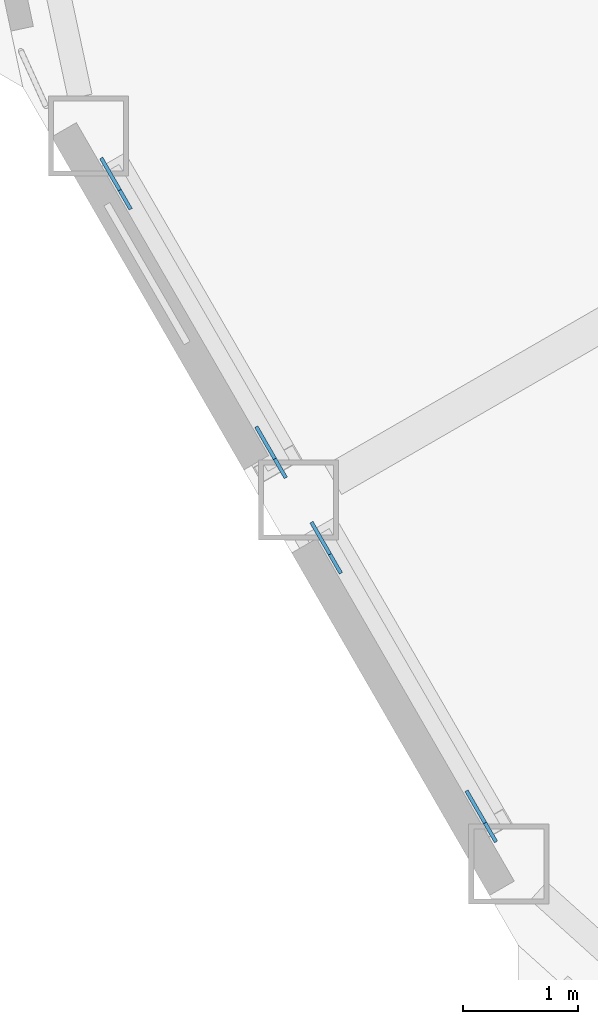
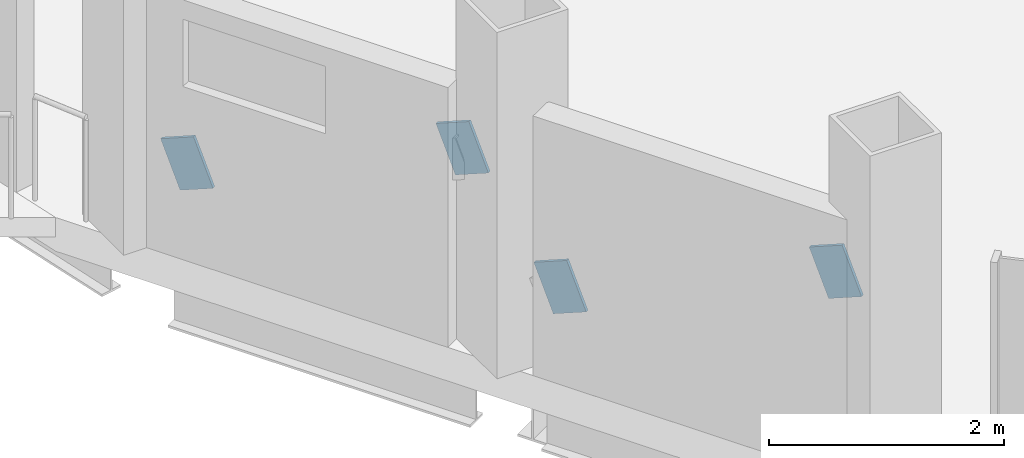
# One storey, part 16 of 24: 4 discrete accessories.
"""IFC4 building model written with IfcOpenShell, lengths in metres."""

from ifc_helpers import new_model, si_unit, direction, frame, origin, origin_2d, place, context, subcontext, project, spatial, rectangle, extrude, material, material_profile, profile_set, type_object, element, save


model = new_model("IFC4")

# Units and contexts
model_context = context("Model", 3, precision=1e-05, world=origin(), true_north=direction((0.0, 1.0)))
body_context = subcontext(model_context, "Body", "Model", "MODEL_VIEW")
ifc_project = project(units=[si_unit("LENGTHUNIT", "METRE"), si_unit("AREAUNIT", "SQUARE_METRE"), si_unit("VOLUMEUNIT", "CUBIC_METRE"), si_unit("PLANEANGLEUNIT", "RADIAN"), si_unit("MASSUNIT", "GRAM", prefix="KILO")], contexts=[model_context])

# Site, building, storey
site_placement = place(None, origin())
site = spatial("IfcSite", under=ifc_project, at=site_placement, CompositionType="ELEMENT")
building_placement = place(site_placement, origin())
building = spatial("IfcBuilding", under=site, at=building_placement, Name="Cormorant Prow Tower", CompositionType="ELEMENT")
storey_placement = place(building_placement, frame((0.0, 0.0, 234.60009765625)))
storey = spatial("IfcBuildingStorey", under=building, at=storey_placement, Name="L51", CompositionType="ELEMENT", Elevation=234.60009765625)

# Discrete accessories
ifc_material = material(Name="Structural steel ASTM A500 Gr C", Category="steel")
ifc_material_profile = material_profile(ifc_material, rectangle(XDim=0.031982421875, YDim=0.506103515625, at=origin_2d()), Name="Gusset plate 32x506")
ifc_profile_set = profile_set([ifc_material_profile], Name="Structural steel ASTM A500 Gr C")
discrete_accessory_type = type_object("IfcDiscreteAccessoryType", Name="Gusset plate 32x506", PredefinedType="BRACKET", material=ifc_profile_set)
discrete_accessory_1_placement = place(storey_placement, frame((-29.2900390625, -13.4150390625, 0.863037109375), z_axis=(-0.462538490196, 0.801593854051, -0.378821116405), x_axis=(-0.866147934042, -0.499787711288, 0.0)))
element("IfcDiscreteAccessory", 1, at=discrete_accessory_1_placement, inside=storey, type_object=discrete_accessory_type, Name="Gusset plate GP2 L51.WSW00.g0", PredefinedType="BRACKET", context=body_context, shape_type="SweptSolid", body=[
    extrude(rectangle(XDim=0.031982421875, YDim=0.506103515625, at=origin_2d()), origin(), (0.0, 0.0, 1.0), 0.349853515625),
])
discrete_accessory_2_placement = place(storey_placement, frame((-28.09814453125, -15.4794921875, 1.837646484375), z_axis=(0.462827914709, -0.801584490837, 0.378487285673), x_axis=(0.866010015463, 0.500026652407, 0.0)))
element("IfcDiscreteAccessory", 2, at=discrete_accessory_2_placement, inside=storey, type_object=discrete_accessory_type, Name="Gusset plate GP2 L51.WSW00.g1", PredefinedType="BRACKET", context=body_context, shape_type="SweptSolid", body=[
    extrude(rectangle(XDim=0.031982421875, YDim=0.506103515625, at=origin_2d()), origin(), (0.0, 0.0, 1.0), 0.350341796875),
])
discrete_accessory_3_placement = place(storey_placement, frame((-27.454833984375, -16.59375, 0.863037109375), z_axis=(-0.462538490196, 0.801593854051, -0.378821116405), x_axis=(-0.866147934042, -0.499787711288, 0.0)))
element("IfcDiscreteAccessory", 3, at=discrete_accessory_3_placement, inside=storey, type_object=discrete_accessory_type, Name="Gusset plate GP2 L51.WSW01.g0", PredefinedType="BRACKET", context=body_context, shape_type="SweptSolid", body=[
    extrude(rectangle(XDim=0.031982421875, YDim=0.506103515625, at=origin_2d()), origin(), (0.0, 0.0, 1.0), 0.349853515625),
])
discrete_accessory_4_placement = place(storey_placement, frame((-26.262939453125, -18.658203125, 1.837646484375), z_axis=(0.462827914709, -0.801584490837, 0.378487285673), x_axis=(0.866010015463, 0.500026652407, 0.0)))
element("IfcDiscreteAccessory", 4, at=discrete_accessory_4_placement, inside=storey, type_object=discrete_accessory_type, Name="Gusset plate GP2 L51.WSW01.g1", PredefinedType="BRACKET", context=body_context, shape_type="SweptSolid", body=[
    extrude(rectangle(XDim=0.031982421875, YDim=0.506103515625, at=origin_2d()), origin(), (0.0, 0.0, 1.0), 0.350341796875),
])

save(model, "model.ifc")
